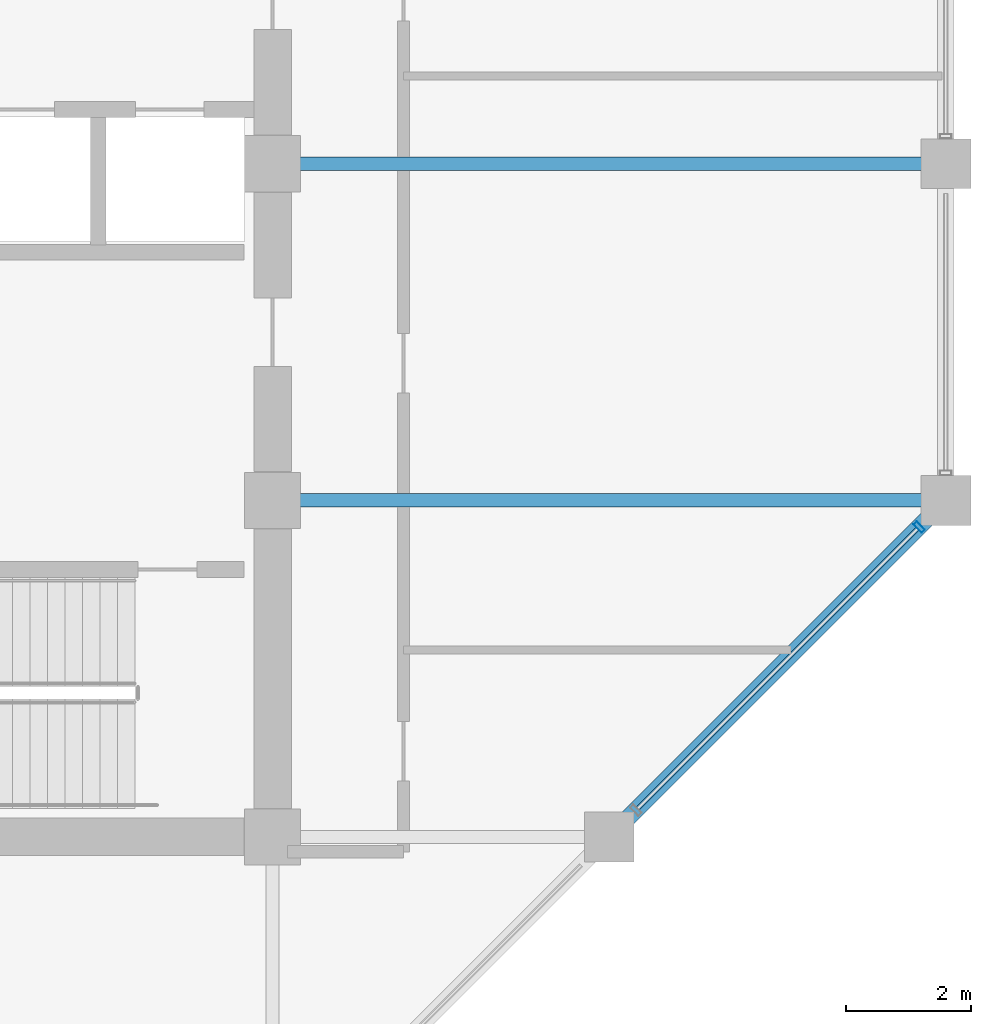
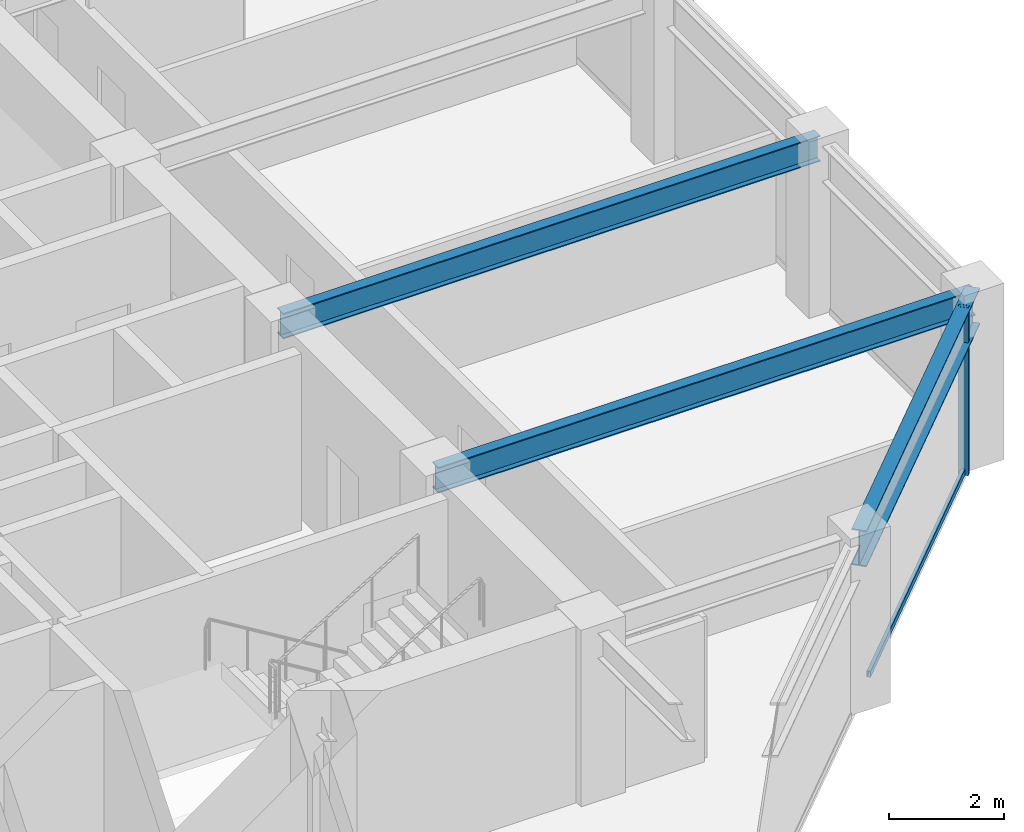
# One storey, part 13 of 32: 3 beams, 2 members, 1 element without a shape of its own.
"""IFC4 building model written with IfcOpenShell, lengths in metres."""

from ifc_helpers import new_model, si_unit, direction, frame, origin, origin_2d, place, context, subcontext, project, spatial, hollow_rectangle, i_section, extrude, material, layer, layer_set, material_profile, profile_set, type_object, element, aggregate, save


model = new_model("IFC4")

# Units and contexts
model_context = context("Model", 3, precision=1e-05, world=origin(), true_north=direction((0.0, 1.0)))
body_context = subcontext(model_context, "Body", "Model", "MODEL_VIEW")
ifc_project = project(units=[si_unit("LENGTHUNIT", "METRE"), si_unit("AREAUNIT", "SQUARE_METRE"), si_unit("VOLUMEUNIT", "CUBIC_METRE"), si_unit("PLANEANGLEUNIT", "RADIAN"), si_unit("MASSUNIT", "GRAM", prefix="KILO")], contexts=[model_context])

# Site, building, storey
site_placement = place(None, origin())
site = spatial("IfcSite", under=ifc_project, at=site_placement, CompositionType="ELEMENT")
building_placement = place(site_placement, origin())
building = spatial("IfcBuilding", under=site, at=building_placement, Name="Surkhivell Harbour Commons", CompositionType="ELEMENT")
storey_placement = place(building_placement, frame((0.0, 0.0, 216.0)))
storey = spatial("IfcBuildingStorey", under=building, at=storey_placement, Name="L56", CompositionType="ELEMENT", Elevation=216.0)

# Beams
ifc_material_1 = material(Name="Steel S355", Category="steel")
ifc_material_profile_1 = material_profile(ifc_material_1, i_section(OverallWidth=0.2119140625, OverallDepth=0.5439453125, WebThickness=0.0126953125, FlangeThickness=0.021240234375, at=origin_2d()), Name="UB533x210x122")
ifc_profile_set_1 = profile_set([ifc_material_profile_1], Name="Steel S355")
beam_type_1 = type_object("IfcBeamType", Name="BM-GRD-533A", PredefinedType="BEAM", material=ifc_profile_set_1)
for number, where, z_axis, x_axis, name in (
    (1, (10.800048828125, -5.39990234375, 3.298095703125), (1.0, 0.0, 0.0), (0.0, 1.0, 0.0), "L56 Floor Girder (10.8,-5.4)"),
    (2, (10.800048828125, 0.0, 3.298095703125), (1.0, 0.0, 0.0), (0.0, 1.0, 0.0), "L56 Floor Girder (10.8,0.0)"),
):
    element("IfcBeam", number, at=place(storey_placement, frame(where, z_axis=z_axis, x_axis=x_axis)), inside=storey, type_object=beam_type_1, Name=name, PredefinedType="BEAM", context=body_context, shape_type="SweptSolid", body=[
        extrude(i_section(OverallWidth=0.2119140625, OverallDepth=0.5439453125, WebThickness=0.0126953125, FlangeThickness=0.021240234375, at=origin_2d()), origin(), (0.0, 0.0, 1.0), 10.800048828125),
    ])
ifc_material_profile_2 = material_profile(ifc_material_1, i_section(OverallWidth=0.26806640625, OverallDepth=0.77001953125, WebThickness=0.015625, FlangeThickness=0.025390625, at=origin_2d()), Name="UB762x267x197")
ifc_profile_set_2 = profile_set([ifc_material_profile_2], Name="Steel S355")
beam_type_2 = type_object("IfcBeamType", Name="BM-SPN-762", PredefinedType="SPANDREL", material=ifc_profile_set_2)
beam_placement = place(storey_placement, frame((16.199951171875, -10.800048828125, 3.18505859375), z_axis=(0.707106781187, 0.707106781187, 0.0), x_axis=(-0.707106781187, 0.707106781187, 0.0)))
element("IfcBeam", 3, at=beam_placement, inside=storey, type_object=beam_type_2, Name="L56 Tube Spandrel (16.2,-10.8)", PredefinedType="SPANDREL", context=body_context, shape_type="SweptSolid", body=[
    extrude(i_section(OverallWidth=0.26806640625, OverallDepth=0.77001953125, WebThickness=0.015625, FlangeThickness=0.025390625, at=origin_2d()), origin(), (0.0, 0.0, 1.0), 7.636962890625),
])

# Curtain wall, members
ifc_material_2 = material(Name="Anodised pale-metal aluminium and insulated glazing", Category="aluminium")
ifc_layer = layer(ifc_material_2, 0.18994140625)
ifc_layer_set = layer_set([ifc_layer], Name="Anodised pale-metal aluminium and insulated glazing")
curtain_wall_type = type_object("IfcCurtainWallType", Name="CW-SYS-Z3", PredefinedType="NOTDEFINED", material=ifc_layer_set)
curtain_wall_placement = place(storey_placement, origin())
curtain_wall = element("IfcCurtainWall", 4, at=curtain_wall_placement, inside=storey, type_object=curtain_wall_type, Name="L56 Curtain Wall CW-L56-E01", PredefinedType="NOTDEFINED")
ifc_material_3 = material(Name="Anodised pale-metal aluminium alloy 6063-T6", Category="aluminium")
ifc_material_profile_3 = material_profile(ifc_material_3, hollow_rectangle(XDim=0.074951171875, YDim=0.18994140625, WallThickness=0.00390625, at=origin_2d()), Name="ALU-MULL-75x190")
ifc_profile_set_3 = profile_set([ifc_material_profile_3], Name="Anodised pale-metal aluminium alloy 6063-T6")
member_type_1 = type_object("IfcMemberType", Name="CWM-190", PredefinedType="MULLION", material=ifc_profile_set_3)
member_1_placement = place(storey_placement, frame((21.171875, -5.828125, 0.0), z_axis=(0.0, 0.0, 1.0), x_axis=(0.707106781187, 0.707106781187, 0.0)))
member_1 = element("IfcMember", 5, at=member_1_placement, type_object=member_type_1, Name="CW-Z3 mullion 4", PredefinedType="MULLION", context=body_context, shape_type="SweptSolid", body=[
    extrude(hollow_rectangle(XDim=0.074951171875, YDim=0.18994140625, WallThickness=0.00390625, at=origin_2d()), origin(), (0.0, 0.0, 1.0), 3.570068359375),
])
ifc_material_4 = material(Name="Champagne anodised aluminium alloy 6063-T6", Category="aluminium")
ifc_material_profile_4 = material_profile(ifc_material_4, hollow_rectangle(XDim=0.070068359375, YDim=0.1298828125, WallThickness=0.00341796875, at=origin_2d()), Name="ALU-TRAN-70x130")
ifc_profile_set_4 = profile_set([ifc_material_profile_4], Name="Champagne anodised aluminium alloy 6063-T6")
member_type_2 = type_object("IfcMemberType", Name="CWT-130", PredefinedType="USERDEFINED", material=ifc_profile_set_4)
member_2_placement = place(storey_placement, frame((16.65478515625, -10.34521484375, 0.06494140625), z_axis=(0.707106781187, 0.707106781187, 0.0), x_axis=(-0.707106781187, 0.707106781187, 0.0)))
member_2 = element("IfcMember", 6, at=member_2_placement, type_object=member_type_2, Name="CW-Z3 transom 3.1", ObjectType="TRANSOM", PredefinedType="USERDEFINED", context=body_context, shape_type="SweptSolid", body=[
    extrude(hollow_rectangle(XDim=0.070068359375, YDim=0.1298828125, WallThickness=0.00341796875, at=origin_2d()), origin(), (0.0, 0.0, 1.0), 6.3505859375),
])
aggregate(curtain_wall, [member_1, member_2])

save(model, "model.ifc")
